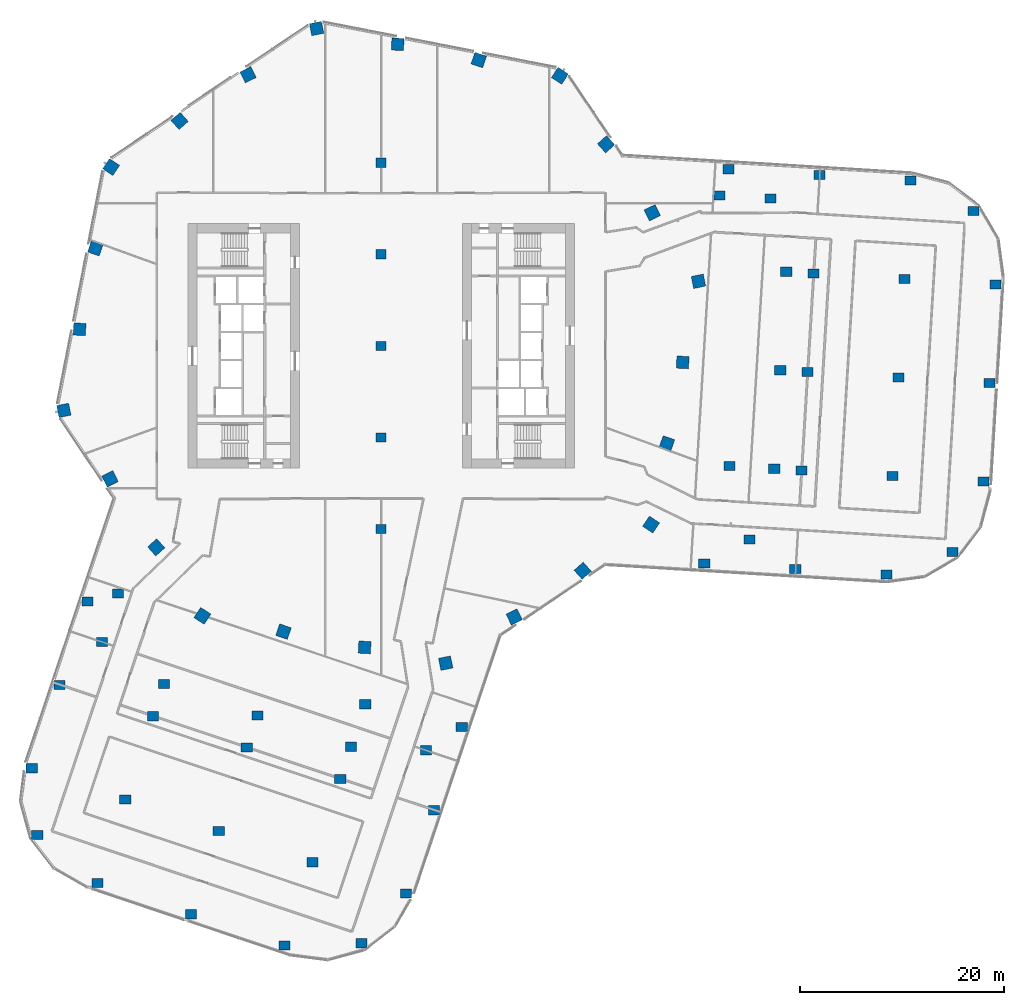
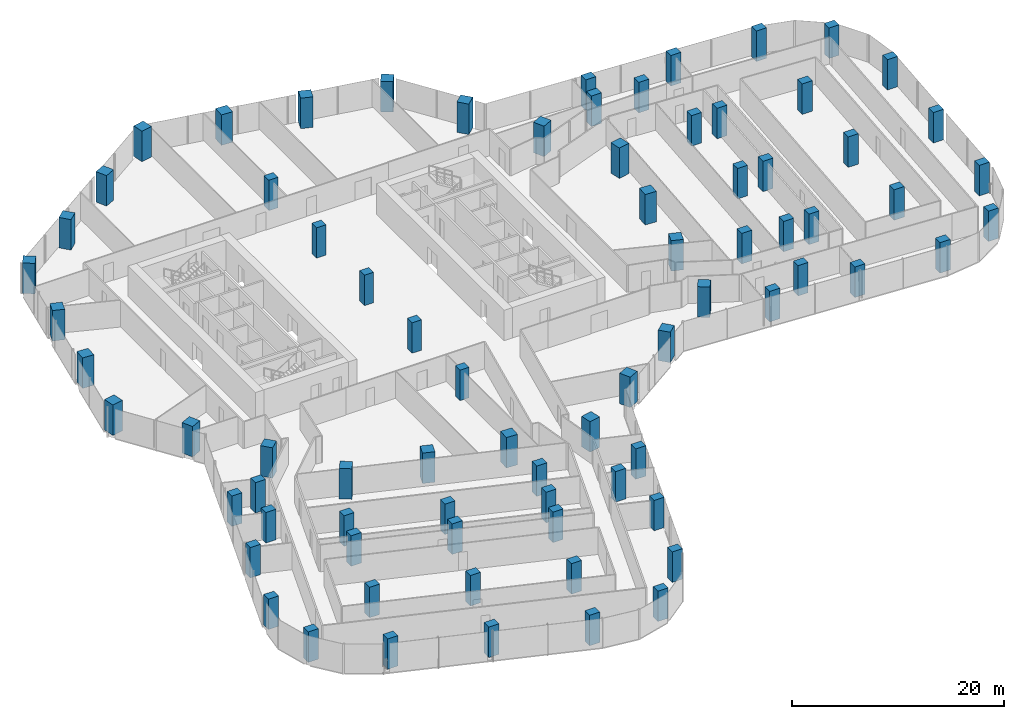
# One storey, part 1 of 32: 77 columns.
"""IFC4 building model written with IfcOpenShell, lengths in metres."""

from ifc_helpers import new_model, si_unit, direction, frame, origin, origin_2d, place, context, subcontext, project, spatial, rectangle, extrude, material, material_profile, profile_set, type_object, element, save


model = new_model("IFC4")

# Units and contexts
model_context = context("Model", 3, precision=1e-05, world=origin(), true_north=direction((0.0, 1.0)))
body_context = subcontext(model_context, "Body", "Model", "MODEL_VIEW")
ifc_project = project(units=[si_unit("LENGTHUNIT", "METRE"), si_unit("AREAUNIT", "SQUARE_METRE"), si_unit("VOLUMEUNIT", "CUBIC_METRE"), si_unit("PLANEANGLEUNIT", "RADIAN"), si_unit("MASSUNIT", "GRAM", prefix="KILO")], contexts=[model_context])

# Site, building, storey
site_placement = place(None, origin())
site = spatial("IfcSite", under=ifc_project, at=site_placement, CompositionType="ELEMENT")
building_placement = place(site_placement, origin())
building = spatial("IfcBuilding", under=site, at=building_placement, Name="Orlundy Tower", CompositionType="ELEMENT")
storey_placement = place(building_placement, frame((0.0, 0.0, 152.60009765625)))
storey = spatial("IfcBuildingStorey", under=building, at=storey_placement, Name="L39", CompositionType="ELEMENT", Elevation=152.60009765625)

# Columns
ifc_material_1 = material(Name="Concrete C70/85", Category="concrete")
ifc_material_profile_1 = material_profile(ifc_material_1, rectangle(XDim=1.0, YDim=0.89990234375, at=origin_2d()), Name="RC1000X900")
ifc_profile_set_1 = profile_set([ifc_material_profile_1], Name="Concrete C70/85")
column_type_1 = type_object("IfcColumnType", Name="RC COLUMN RC1000X900 C70/85", PredefinedType="COLUMN", material=ifc_profile_set_1)
for number, where, z_axis, x_axis, name in (
    (1, (0.0, -18.0, 0.0), (0.0, 0.0, 1.0), (1.0, 0.0, 0.0), "Column C-M1 L39"),
    (2, (0.0, -9.0, 0.0), (0.0, 0.0, 1.0), (1.0, 0.0, 0.0), "Column C-M2 L39"),
    (3, (0.0, 0.0, 0.0), (0.0, 0.0, 1.0), (1.0, 0.0, 0.0), "Column C-M3 L39"),
    (4, (0.0, 9.0, 0.0), (0.0, 0.0, 1.0), (1.0, 0.0, 0.0), "Column C-M4 L39"),
    (5, (0.0, 18.0, 0.0), (0.0, 0.0, 1.0), (1.0, 0.0, 0.0), "Column C-M5 L39"),
):
    element("IfcColumn", number, at=place(storey_placement, frame(where, z_axis=z_axis, x_axis=x_axis)), inside=storey, type_object=column_type_1, Name=name, PredefinedType="COLUMN", context=body_context, shape_type="SweptSolid", body=[
        extrude(rectangle(XDim=1.0, YDim=0.89990234375, at=origin_2d()), origin(), (0.0, 0.0, 1.0), 3.5),
    ])
ifc_material_2 = material(Name="Concrete C70/85", Category="concrete")
ifc_material_profile_2 = material_profile(ifc_material_2, rectangle(XDim=1.10009765625, YDim=0.89990234375, at=origin_2d()), Name="RC1100X900")
ifc_profile_set_2 = profile_set([ifc_material_profile_2], Name="Concrete C70/85")
column_type_2 = type_object("IfcColumnType", Name="RC COLUMN RC1100X900 C70/85", PredefinedType="COLUMN", material=ifc_profile_set_2)
for number, where, z_axis, x_axis, name in (
    (6, (31.75390625, -21.3779296875, 0.0), (0.0, 0.0, 1.0), (1.0, 0.0, 0.0), "Column C-A1-1 L39"),
    (7, (40.7041015625, -21.926025390625, 0.0), (0.0, 0.0, 1.0), (1.0, 0.0, 0.0), "Column C-A1-2 L39"),
    (8, (49.654052734375, -22.472900390625, 0.0), (0.0, 0.0, 1.0), (1.0, 0.0, 0.0), "Column C-A1-3 L39"),
    (9, (56.160888671875, -20.260009765625, 0.0), (0.0, 0.0, 1.0), (1.0, 0.0, 0.0), "Column C-A1-5 L39"),
    (10, (36.197998046875, -19.0390625, 0.0), (0.0, 0.0, 1.0), (1.0, 0.0, 0.0), "Column C-A1-6 L39"),
    (11, (41.2958984375, -12.243896484375, 0.0), (0.0, 0.0, 1.0), (1.0, 0.0, 0.0), "Column C-A2-2 L39"),
    (12, (50.24609375, -12.791015625, 0.0), (0.0, 0.0, 1.0), (1.0, 0.0, 0.0), "Column C-A2-3 L39"),
    (13, (59.196044921875, -13.339111328125, 0.0), (0.0, 0.0, 1.0), (1.0, 0.0, 0.0), "Column C-A2-5 L39"),
    (14, (38.635009765625, -12.0810546875, 0.0), (0.0, 0.0, 1.0), (1.0, 0.0, 0.0), "Column C-A2-6 L39"),
    (15, (34.242919921875, -11.81298828125, 0.0), (0.0, 0.0, 1.0), (1.0, 0.0, 0.0), "Column C-A2-7 L39"),
    (16, (41.887939453125, -2.56201171875, 0.0), (0.0, 0.0, 1.0), (1.0, 0.0, 0.0), "Column C-A3-2 L39"),
    (17, (50.837890625, -3.10888671875, 0.0), (0.0, 0.0, 1.0), (1.0, 0.0, 0.0), "Column C-A3-3 L39"),
    (18, (59.7880859375, -3.656982421875, 0.0), (0.0, 0.0, 1.0), (1.0, 0.0, 0.0), "Column C-A3-5 L39"),
    (19, (39.22705078125, -2.39892578125, 0.0), (0.0, 0.0, 1.0), (1.0, 0.0, 0.0), "Column C-A3-6 L39"),
    (20, (42.48095703125, 7.1201171875, 0.0), (0.0, 0.0, 1.0), (1.0, 0.0, 0.0), "Column C-A4-2 L39"),
    (21, (51.430908203125, 6.572998046875, 0.0), (0.0, 0.0, 1.0), (1.0, 0.0, 0.0), "Column C-A4-3 L39"),
    (22, (60.3798828125, 6.02490234375, 0.0), (0.0, 0.0, 1.0), (1.0, 0.0, 0.0), "Column C-A4-5 L39"),
    (23, (39.819091796875, 7.282958984375, 0.0), (0.0, 0.0, 1.0), (1.0, 0.0, 0.0), "Column C-A4-6 L39"),
    (24, (34.123046875, 17.34912109375, 0.0), (0.0, 0.0, 1.0), (1.0, 0.0, 0.0), "Column C-A5-1 L39"),
    (25, (43.072998046875, 16.802001953125, 0.0), (0.0, 0.0, 1.0), (1.0, 0.0, 0.0), "Column C-A5-2 L39"),
    (26, (52.02294921875, 16.25390625, 0.0), (0.0, 0.0, 1.0), (1.0, 0.0, 0.0), "Column C-A5-3 L39"),
    (27, (58.2119140625, 13.263916015625, 0.0), (0.0, 0.0, 1.0), (1.0, 0.0, 0.0), "Column C-A5-5 L39"),
    (28, (38.2490234375, 14.485107421875, 0.0), (0.0, 0.0, 1.0), (1.0, 0.0, 0.0), "Column C-A5-6 L39"),
    (29, (33.258056640625, 14.7900390625, 0.0), (0.0, 0.0, 1.0), (1.0, 0.0, 0.0), "Column C-A5-7 L39"),
    (30, (-28.868896484375, -25.138916015625, 0.0), (0.0, 0.0, 1.0), (1.0, 0.0, 0.0), "Column C-B1-1 L39"),
    (31, (-31.60791015625, -33.325927734375, 0.0), (0.0, 0.0, 1.0), (1.0, 0.0, 0.0), "Column C-B1-2 L39"),
    (32, (-34.343994140625, -41.514892578125, 0.0), (0.0, 0.0, 1.0), (1.0, 0.0, 0.0), "Column C-B1-3 L39"),
    (33, (-33.7880859375, -48.055908203125, 0.0), (0.0, 0.0, 1.0), (1.0, 0.0, 0.0), "Column C-B1-5 L39"),
    (34, (-27.44091796875, -29.089111328125, 0.0), (0.0, 0.0, 1.0), (1.0, 0.0, 0.0), "Column C-B1-6 L39"),
    (35, (-25.85498046875, -24.347900390625, 0.0), (0.0, 0.0, 1.0), (1.0, 0.0, 0.0), "Column C-B1-7 L39"),
    (36, (-22.408935546875, -36.404052734375, 0.0), (0.0, 0.0, 1.0), (1.0, 0.0, 0.0), "Column C-B2-2 L39"),
    (37, (-25.14892578125, -44.591064453125, 0.0), (0.0, 0.0, 1.0), (1.0, 0.0, 0.0), "Column C-B2-3 L39"),
    (38, (-27.887939453125, -52.778076171875, 0.0), (0.0, 0.0, 1.0), (1.0, 0.0, 0.0), "Column C-B2-5 L39"),
    (39, (-21.35205078125, -33.242919921875, 0.0), (0.0, 0.0, 1.0), (1.0, 0.0, 0.0), "Column C-B2-6 L39"),
    (40, (-13.2099609375, -39.48193359375, 0.0), (0.0, 0.0, 1.0), (1.0, 0.0, 0.0), "Column C-B3-2 L39"),
    (41, (-15.949951171875, -47.6689453125, 0.0), (0.0, 0.0, 1.0), (1.0, 0.0, 0.0), "Column C-B3-3 L39"),
    (42, (-18.68896484375, -55.85595703125, 0.0), (0.0, 0.0, 1.0), (1.0, 0.0, 0.0), "Column C-B3-5 L39"),
    (43, (-12.153076171875, -36.321044921875, 0.0), (0.0, 0.0, 1.0), (1.0, 0.0, 0.0), "Column C-B3-6 L39"),
    (44, (-4.011962890625, -42.56005859375, 0.0), (0.0, 0.0, 1.0), (1.0, 0.0, 0.0), "Column C-B4-2 L39"),
    (45, (-6.7509765625, -50.7470703125, 0.0), (0.0, 0.0, 1.0), (1.0, 0.0, 0.0), "Column C-B4-3 L39"),
    (46, (-9.490966796875, -58.93408203125, 0.0), (0.0, 0.0, 1.0), (1.0, 0.0, 0.0), "Column C-B4-5 L39"),
    (47, (-2.9541015625, -39.39892578125, 0.0), (0.0, 0.0, 1.0), (1.0, 0.0, 0.0), "Column C-B4-6 L39"),
    (48, (-1.55810546875, -35.22607421875, 0.0), (0.0, 0.0, 1.0), (1.0, 0.0, 0.0), "Column C-B4-7 L39"),
    (49, (7.926025390625, -37.449951171875, 0.0), (0.0, 0.0, 1.0), (1.0, 0.0, 0.0), "Column C-B5-1 L39"),
    (50, (5.18701171875, -45.637939453125, 0.0), (0.0, 0.0, 1.0), (1.0, 0.0, 0.0), "Column C-B5-2 L39"),
    (51, (2.444091796875, -53.822998046875, 0.0), (0.0, 0.0, 1.0), (1.0, 0.0, 0.0), "Column C-B5-3 L39"),
    (52, (-1.93701171875, -58.712890625, 0.0), (0.0, 0.0, 1.0), (1.0, 0.0, 0.0), "Column C-B5-5 L39"),
    (53, (4.408935546875, -39.74609375, 0.0), (0.0, 0.0, 1.0), (1.0, 0.0, 0.0), "Column C-B5-6 L39"),
):
    element("IfcColumn", number, at=place(storey_placement, frame(where, z_axis=z_axis, x_axis=x_axis)), inside=storey, type_object=column_type_2, Name=name, PredefinedType="COLUMN", context=body_context, shape_type="SweptSolid", body=[
        extrude(rectangle(XDim=1.10009765625, YDim=0.89990234375, at=origin_2d()), origin(), (0.0, 0.0, 1.0), 3.5),
    ])
ifc_material_3 = material(Name="Concrete C70/85", Category="concrete")
ifc_material_profile_3 = material_profile(ifc_material_3, rectangle(XDim=1.199951171875, YDim=1.199951171875, at=origin_2d()), Name="RC1200X1200")
ifc_profile_set_3 = profile_set([ifc_material_profile_3], Name="Concrete C70/85")
column_type_3 = type_object("IfcColumnType", Name="RC COLUMN RC1200X1200 C70/85", PredefinedType="COLUMN", material=ifc_profile_set_3)
for number, where, z_axis, x_axis, name in (
    (54, (17.56396484375, 26.535888671875, 0.0), (0.0, 0.0, 1.0), (0.551936985312, 0.833885822067, 0.0), "Column C-H01 L39"),
    (55, (22.10400390625, 19.805908203125, 0.0), (0.0, 0.0, 1.0), (0.744754305823, 0.667338762517, 0.0), "Column C-H02 L39"),
    (56, (26.64404296875, 13.074951171875, 0.0), (0.0, 0.0, 1.0), (0.897727910651, 0.440550335873, 0.0), "Column C-H03 L39"),
    (57, (31.18310546875, 6.343994140625, 0.0), (0.0, 0.0, 1.0), (0.979924704621, 0.199367934417, 0.0), "Column C-H04 L39"),
    (58, (29.634033203125, -1.625, 0.0), (0.0, 0.0, 1.0), (0.998499628726, -0.054758482756, 0.0), "Column C-H05 L39"),
    (59, (28.0849609375, -9.593994140625, 0.0), (0.0, 0.0, 1.0), (0.946311265272, -0.323256847134, 0.0), "Column C-H06 L39"),
    (60, (26.535888671875, -17.56396484375, 0.0), (0.0, 0.0, 1.0), (0.833885822067, -0.551936985312, 0.0), "Column C-H07 L39"),
    (61, (19.805908203125, -22.10400390625, 0.0), (0.0, 0.0, 1.0), (0.667338762517, -0.744754305823, 0.0), "Column C-H08 L39"),
    (62, (13.074951171875, -26.64404296875, 0.0), (0.0, 0.0, 1.0), (0.440550335873, -0.897727910651, 0.0), "Column C-H09 L39"),
    (63, (6.343994140625, -31.18310546875, 0.0), (0.0, 0.0, 1.0), (0.199367934417, -0.979924704621, 0.0), "Column C-H10 L39"),
    (64, (-1.625, -29.634033203125, 0.0), (0.0, 0.0, 1.0), (-0.054758482756, -0.998499628726, 0.0), "Column C-H11 L39"),
    (65, (-9.593994140625, -28.0849609375, 0.0), (0.0, 0.0, 1.0), (-0.323256847134, -0.946311265272, 0.0), "Column C-H12 L39"),
    (66, (-17.56396484375, -26.535888671875, 0.0), (0.0, 0.0, 1.0), (-0.551936985312, -0.833885822067, 0.0), "Column C-H13 L39"),
    (67, (-22.10400390625, -19.805908203125, 0.0), (0.0, 0.0, 1.0), (-0.744754305823, -0.667338762517, 0.0), "Column C-H14 L39"),
    (68, (-26.64404296875, -13.074951171875, 0.0), (0.0, 0.0, 1.0), (-0.897727910651, -0.440550335873, 0.0), "Column C-H15 L39"),
    (69, (-31.18310546875, -6.343994140625, 0.0), (0.0, 0.0, 1.0), (-0.979924704621, -0.199367934417, 0.0), "Column C-H16 L39"),
    (70, (-29.634033203125, 1.625, 0.0), (0.0, 0.0, 1.0), (-0.998499628726, 0.054758482756, 0.0), "Column C-H17 L39"),
    (71, (-28.0849609375, 9.593994140625, 0.0), (0.0, 0.0, 1.0), (-0.946311265272, 0.323256847134, 0.0), "Column C-H18 L39"),
    (72, (-26.535888671875, 17.56396484375, 0.0), (0.0, 0.0, 1.0), (-0.833885822067, 0.551936985312, 0.0), "Column C-H19 L39"),
    (73, (-19.805908203125, 22.10400390625, 0.0), (0.0, 0.0, 1.0), (-0.667338762517, 0.744754305823, 0.0), "Column C-H20 L39"),
    (74, (-13.074951171875, 26.64404296875, 0.0), (0.0, 0.0, 1.0), (-0.440550335873, 0.897727910651, 0.0), "Column C-H21 L39"),
    (75, (-6.343994140625, 31.18310546875, 0.0), (0.0, 0.0, 1.0), (-0.199367934417, 0.979924704621, 0.0), "Column C-H22 L39"),
    (76, (1.625, 29.634033203125, 0.0), (0.0, 0.0, 1.0), (0.054758482756, 0.998499628726, 0.0), "Column C-H23 L39"),
    (77, (9.593994140625, 28.0849609375, 0.0), (0.0, 0.0, 1.0), (0.323256847134, 0.946311265272, 0.0), "Column C-H24 L39"),
):
    element("IfcColumn", number, at=place(storey_placement, frame(where, z_axis=z_axis, x_axis=x_axis)), inside=storey, type_object=column_type_3, Name=name, PredefinedType="COLUMN", context=body_context, shape_type="SweptSolid", body=[
        extrude(rectangle(XDim=1.199951171875, YDim=1.199951171875, at=origin_2d()), origin(), (0.0, 0.0, 1.0), 3.5),
    ])

save(model, "model.ifc")
